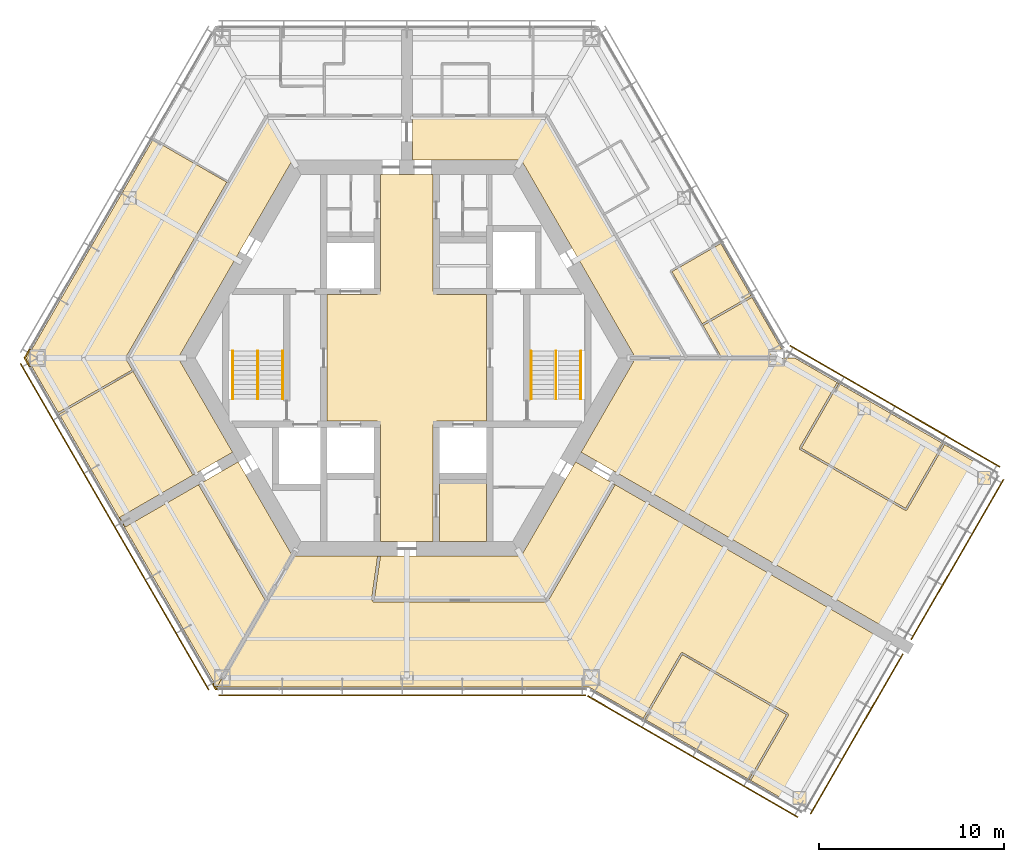
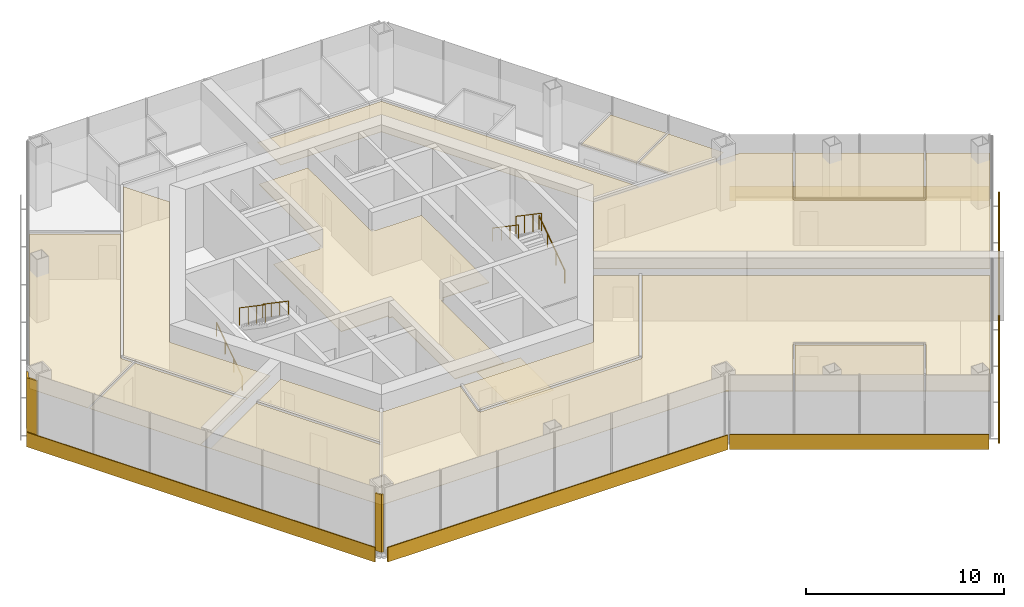
# One storey, part 14 of 15: 17 coverings, 6 railings, 6 shading devices.
"""IFC4 building model written with IfcOpenShell, lengths in metres."""

from ifc_helpers import new_model, si_unit, direction, frame, origin, origin_2d, place, context, subcontext, project, spatial, polyline, rectangle, circle, outline, extrude, material, layer, layer_set, type_object, element, save


model = new_model("IFC4")

# Units and contexts
model_context = context("Model", 3, precision=1e-05, world=origin(), true_north=direction((0.0, 1.0)))
body_context = subcontext(model_context, "Body", "Model", "MODEL_VIEW")
ifc_project = project(units=[si_unit("LENGTHUNIT", "METRE"), si_unit("AREAUNIT", "SQUARE_METRE"), si_unit("VOLUMEUNIT", "CUBIC_METRE"), si_unit("PLANEANGLEUNIT", "RADIAN"), si_unit("MASSUNIT", "GRAM", prefix="KILO")], contexts=[model_context])

# Site, building, storey
site_placement = place(None, origin())
site = spatial("IfcSite", under=ifc_project, at=site_placement, CompositionType="ELEMENT")
building_placement = place(site_placement, origin())
building = spatial("IfcBuilding", under=site, at=building_placement, Name="Kasaneha Research Tower", CompositionType="ELEMENT")
storey_placement = place(building_placement, frame((0.0, 0.0, 212.800048828125)))
storey = spatial("IfcBuildingStorey", under=building, at=storey_placement, Name="L53", CompositionType="ELEMENT", Elevation=212.800048828125)

# Coverings
ifc_material_1 = material(Name="Terracotta", Category="masonry")
covering_type_1 = type_object("IfcCoveringType", Name="Corner pier cladding", PredefinedType="CLADDING", material=ifc_material_1)
covering_1_placement = place(storey_placement, origin())
element("IfcCovering", 1, at=covering_1_placement, inside=storey, type_object=covering_type_1, Name="Corner pier cladding L53 V3", PredefinedType="CLADDING", context=body_context, shape_type="SweptSolid", body=[
    extrude(outline(polyline([(-20.360107421875, 0.4765625), (-20.375244140625, 0.449951171875), (-20.449951171875, 0.449951171875), (-20.449951171875, 0.320556640625), (-20.635009765625, 0.0), (-20.449951171875, -0.320556640625), (-20.449951171875, -0.449951171875), (-20.375244140625, -0.449951171875), (-20.360107421875, -0.4765625), (-20.43798828125, -0.521484375), (-20.739013671875, 0.0), (-20.43798828125, 0.521484375), (-20.360107421875, 0.4765625)])), origin(), (0.0, 0.0, 1.0), 3.5517578125),
])
covering_2_placement = place(storey_placement, origin())
element("IfcCovering", 2, at=covering_2_placement, inside=storey, type_object=covering_type_1, Name="Corner pier cladding L53 V4", PredefinedType="CLADDING", context=body_context, shape_type="SweptSolid", body=[
    extrude(outline(polyline([(-10.476806640625, -17.5947265625), (-10.449951171875, -17.64111328125), (-10.449951171875, -17.7705078125), (-10.375244140625, -17.7705078125), (-10.317626953125, -17.87060546875), (-10.247314453125, -17.87060546875), (-10.247314453125, -17.96044921875), (-10.369384765625, -17.96044921875), (-10.5546875, -17.6396484375), (-10.476806640625, -17.5947265625)])), origin(), (0.0, 0.0, 1.0), 3.5517578125),
])
ifc_material_2 = material(Name="Aluminium panel ceiling", Category="aluminium")
ifc_layer_1 = layer(ifc_material_2, 0.0400390625)
ifc_layer_set_1 = layer_set([ifc_layer_1], Name="Lift lobby ceiling 40")
covering_type_2 = type_object("IfcCoveringType", Name="Lift lobby ceiling 40", PredefinedType="CEILING", material=ifc_layer_set_1)
covering_3_placement = place(storey_placement, frame((0.0, 0.0, 2.699951171875)))
element("IfcCovering", 3, at=covering_3_placement, inside=storey, type_object=covering_type_2, Name="Ceiling L53-01", PredefinedType="CEILING", context=body_context, shape_type="SweptSolid", body=[
    extrude(outline(polyline([(1.425048828125, 9.925048828125), (1.425048828125, 3.60009765625), (1.60009765625, 3.60009765625), (1.60009765625, 3.425048828125), (4.324951171875, 3.425048828125), (4.324951171875, -3.425048828125), (1.60009765625, -3.425048828125), (1.60009765625, -3.60009765625), (1.425048828125, -3.60009765625), (1.425048828125, -9.925048828125), (-1.425048828125, -9.925048828125), (-1.425048828125, -3.60009765625), (-1.60009765625, -3.60009765625), (-1.60009765625, -3.425048828125), (-4.324951171875, -3.425048828125), (-4.324951171875, 3.425048828125), (-1.60009765625, 3.425048828125), (-1.60009765625, 3.60009765625), (-1.425048828125, 3.60009765625), (-1.425048828125, 9.925048828125), (1.425048828125, 9.925048828125)])), origin(), (0.0, 0.0, 1.0), 0.0400390625),
])

# Railings
ifc_material_3 = material(Name="Steel", Category="steel")
railing_type_1 = type_object("IfcRailingType", Name="Stair balustrade 1100", PredefinedType="GUARDRAIL", material=ifc_material_3)
for number, where, name in (
    (4, (8.074951171875, 0.375, 2.127197265625), "Stair 1 balustrade L53"),
    (5, (-8.074951171875, 0.375, 2.127197265625), "Stair 2 balustrade L53"),
):
    element("IfcRailing", number, at=place(storey_placement, frame(where)), inside=storey, type_object=railing_type_1, Name=name, PredefinedType="GUARDRAIL", context=body_context, shape_type="SweptSolid", body=[
        extrude(circle(Radius=0.02392578125, at=origin_2d()), frame((0.0, 0.0, 1.076171875), z_axis=(0.0, -0.826240473404, 0.563317565952), x_axis=(1.0, 0.0, 0.0)), (0.0, 0.0, 1.0), 3.14697265625),
        extrude(circle(Radius=0.02099609375, at=origin_2d()), origin(), (0.0, 0.0, 1.0), 1.052001953125),
        extrude(circle(Radius=0.02099609375, at=origin_2d()), frame((0.0, -0.86669921875, 0.5908203125)), (0.0, 0.0, 1.0), 1.052001953125),
        extrude(circle(Radius=0.02099609375, at=origin_2d()), frame((0.0, -1.7333984375, 1.181884765625)), (0.0, 0.0, 1.0), 1.052001953125),
        extrude(circle(Radius=0.02099609375, at=origin_2d()), frame((0.0, -2.60009765625, 1.772705078125)), (0.0, 0.0, 1.0), 1.052001953125),
    ])
ifc_material_4 = material(Name="Steel", Category="steel")
railing_type_2 = type_object("IfcRailingType", Name="Stair handrail 850", PredefinedType="HANDRAIL", material=ifc_material_4)
railing_1_placement = place(storey_placement, frame((9.425048828125, -2.22509765625, 0.17724609375)))
element("IfcRailing", 6, at=railing_1_placement, inside=storey, type_object=railing_type_2, Name="Stair 1 handrail L53", PredefinedType="HANDRAIL", context=body_context, shape_type="SweptSolid", body=[
    extrude(circle(Radius=0.02392578125, at=origin_2d()), frame((0.0, 0.0, 0.826171875), z_axis=(0.0, 0.826240473404, 0.563317565952), x_axis=(-1.0, 0.0, 0.0)), (0.0, 0.0, 1.0), 3.14697265625),
    extrude(circle(Radius=0.02099609375, at=origin_2d()), origin(), (0.0, 0.0, 1.0), 0.802001953125),
    extrude(circle(Radius=0.02099609375, at=origin_2d()), frame((0.0, 0.86669921875, 0.5908203125)), (0.0, 0.0, 1.0), 0.802001953125),
    extrude(circle(Radius=0.02099609375, at=origin_2d()), frame((0.0, 1.7333984375, 1.181884765625)), (0.0, 0.0, 1.0), 0.802001953125),
    extrude(circle(Radius=0.02099609375, at=origin_2d()), frame((0.0, 2.60009765625, 1.772705078125)), (0.0, 0.0, 1.0), 0.802001953125),
])
railing_2_placement = place(storey_placement, frame((6.72509765625, 0.375, 2.127197265625)))
element("IfcRailing", 7, at=railing_2_placement, inside=storey, type_object=railing_type_2, Name="Stair 1 handrail L53", PredefinedType="HANDRAIL", context=body_context, shape_type="SweptSolid", body=[
    extrude(circle(Radius=0.02392578125, at=origin_2d()), frame((0.0, 0.0, 0.826171875), z_axis=(0.0, -0.826240473404, 0.563317565952), x_axis=(1.0, 0.0, 0.0)), (0.0, 0.0, 1.0), 3.14697265625),
    extrude(circle(Radius=0.02099609375, at=origin_2d()), origin(), (0.0, 0.0, 1.0), 0.802001953125),
    extrude(circle(Radius=0.02099609375, at=origin_2d()), frame((0.0, -0.86669921875, 0.5908203125)), (0.0, 0.0, 1.0), 0.802001953125),
    extrude(circle(Radius=0.02099609375, at=origin_2d()), frame((0.0, -1.7333984375, 1.181884765625)), (0.0, 0.0, 1.0), 0.802001953125),
    extrude(circle(Radius=0.02099609375, at=origin_2d()), frame((0.0, -2.60009765625, 1.772705078125)), (0.0, 0.0, 1.0), 0.802001953125),
])
railing_3_placement = place(storey_placement, frame((-9.425048828125, -2.22509765625, 0.17724609375)))
element("IfcRailing", 8, at=railing_3_placement, inside=storey, type_object=railing_type_2, Name="Stair 2 handrail L53", PredefinedType="HANDRAIL", context=body_context, shape_type="SweptSolid", body=[
    extrude(circle(Radius=0.02392578125, at=origin_2d()), frame((0.0, 0.0, 0.826171875), z_axis=(0.0, 0.826240473404, 0.563317565952), x_axis=(-1.0, 0.0, 0.0)), (0.0, 0.0, 1.0), 3.14697265625),
    extrude(circle(Radius=0.02099609375, at=origin_2d()), origin(), (0.0, 0.0, 1.0), 0.802001953125),
    extrude(circle(Radius=0.02099609375, at=origin_2d()), frame((0.0, 0.86669921875, 0.5908203125)), (0.0, 0.0, 1.0), 0.802001953125),
    extrude(circle(Radius=0.02099609375, at=origin_2d()), frame((0.0, 1.7333984375, 1.181884765625)), (0.0, 0.0, 1.0), 0.802001953125),
    extrude(circle(Radius=0.02099609375, at=origin_2d()), frame((0.0, 2.60009765625, 1.772705078125)), (0.0, 0.0, 1.0), 0.802001953125),
])
railing_4_placement = place(storey_placement, frame((-6.72509765625, 0.375, 2.127197265625)))
element("IfcRailing", 9, at=railing_4_placement, inside=storey, type_object=railing_type_2, Name="Stair 2 handrail L53", PredefinedType="HANDRAIL", context=body_context, shape_type="SweptSolid", body=[
    extrude(circle(Radius=0.02392578125, at=origin_2d()), frame((0.0, 0.0, 0.826171875), z_axis=(0.0, -0.826240473404, 0.563317565952), x_axis=(1.0, 0.0, 0.0)), (0.0, 0.0, 1.0), 3.14697265625),
    extrude(circle(Radius=0.02099609375, at=origin_2d()), origin(), (0.0, 0.0, 1.0), 0.802001953125),
    extrude(circle(Radius=0.02099609375, at=origin_2d()), frame((0.0, -0.86669921875, 0.5908203125)), (0.0, 0.0, 1.0), 0.802001953125),
    extrude(circle(Radius=0.02099609375, at=origin_2d()), frame((0.0, -1.7333984375, 1.181884765625)), (0.0, 0.0, 1.0), 0.802001953125),
    extrude(circle(Radius=0.02099609375, at=origin_2d()), frame((0.0, -2.60009765625, 1.772705078125)), (0.0, 0.0, 1.0), 0.802001953125),
])

# Coverings
ifc_material_5 = material(Name="Gypsum ceiling board", Category="gypsum")
ifc_layer_2 = layer(ifc_material_5, 0.02001953125)
ifc_layer_set_2 = layer_set([ifc_layer_2], Name="Suspended ceiling 20")
covering_type_3 = type_object("IfcCoveringType", Name="Suspended ceiling 20", PredefinedType="CEILING", material=ifc_layer_set_2)
covering_4_placement = place(storey_placement, frame((0.0, 0.0, 2.800048828125)))
element("IfcCovering", 10, at=covering_4_placement, inside=storey, type_object=covering_type_3, Name="Ceiling L53-27", PredefinedType="CEILING", context=body_context, shape_type="SweptSolid", body=[
    extrude(outline(polyline([(6.192138671875, 10.72509765625), (0.300048828125, 10.72509765625), (0.300048828125, 11.72509765625), (0.300048828125, 12.72509765625), (0.300048828125, 13.125), (0.320068359375, 13.125), (0.320068359375, 13.050048828125), (1.89501953125, 13.050048828125), (1.905029296875, 13.050048828125), (4.4599609375, 13.050048828125), (4.469970703125, 13.050048828125), (6.826416015625, 13.050048828125), (6.8359375, 13.050048828125), (7.534423828125, 13.050048828125), (9.103759765625, 10.33154296875), (9.103759765625, 10.33154296875), (10.599365234375, 7.7412109375), (10.599365234375, 7.7412109375), (15.06884765625, 0.0), (12.38427734375, 0.0), (6.192138671875, 10.72509765625)])), origin(), (0.0, 0.0, 1.0), 0.02001953125),
])
covering_5_placement = place(storey_placement, frame((0.0, 0.0, 2.800048828125)))
element("IfcCovering", 11, at=covering_5_placement, inside=storey, type_object=covering_type_3, Name="Ceiling L53-31", PredefinedType="CEILING", context=body_context, shape_type="SweptSolid", body=[
    extrude(outline(polyline([(18.65771484375, 3.32470703125), (18.640380859375, 3.314697265625), (18.615478515625, 3.358154296875), (15.99267578125, 1.849609375), (14.35546875, 4.677001953125), (16.99658203125, 6.201904296875), (18.65771484375, 3.32470703125)])), origin(), (0.0, 0.0, 1.0), 0.02001953125),
])
covering_6_placement = place(storey_placement, frame((0.0, 0.0, 2.800048828125)))
element("IfcCovering", 12, at=covering_6_placement, inside=storey, type_object=covering_type_3, Name="Ceiling L53-32", PredefinedType="CEILING", context=body_context, shape_type="SweptSolid", body=[
    extrude(outline(polyline([(20.28759765625, 0.501708984375), (19.41845703125, 0.0), (16.997802734375, 0.0), (16.986328125, 0.02001953125), (17.029541015625, 0.044921875), (16.042724609375, 1.762939453125), (18.665283203125, 3.271484375), (18.640380859375, 3.314697265625), (18.65771484375, 3.32470703125), (20.28759765625, 0.501708984375)])), origin(), (0.0, 0.0, 1.0), 0.02001953125),
])
covering_7_placement = place(storey_placement, frame((0.0, 0.0, 2.800048828125)))
element("IfcCovering", 13, at=covering_7_placement, inside=storey, type_object=covering_type_3, Name="Ceiling L53-38", PredefinedType="CEILING", context=body_context, shape_type="SweptSolid", body=[
    extrude(outline(polyline([(-12.38427734375, 0.0), (-9.438232421875, -5.102783203125), (-10.30419921875, -5.602783203125), (-10.30419921875, -5.602783203125), (-11.170166015625, -6.102783203125), (-11.170166015625, -6.102783203125), (-11.5166015625, -6.302734375), (-11.526611328125, -6.285400390625), (-11.461669921875, -6.247802734375), (-14.71484375, -0.613037109375), (-14.71484375, -0.613037109375), (-15.06884765625, 0.0), (-9.596435546875, 9.478515625), (-9.596435546875, 9.478515625), (-7.534423828125, 13.050048828125), (-7.534423828125, 13.050048828125), (-6.192138671875, 10.72509765625), (-12.38427734375, 0.0)])), origin(), (0.0, 0.0, 1.0), 0.02001953125),
])
covering_8_placement = place(storey_placement, frame((0.0, 0.0, 2.800048828125)))
element("IfcCovering", 14, at=covering_8_placement, inside=storey, type_object=covering_type_3, Name="Ceiling L53-40", PredefinedType="CEILING", context=body_context, shape_type="SweptSolid", body=[
    extrude(outline(polyline([(-15.539794921875, -8.62548828125), (-15.3896484375, -8.88525390625), (-15.43310546875, -8.91015625), (-18.823486328125, -3.037841796875), (-14.81982421875, -0.7314453125), (-11.591552734375, -6.322998046875), (-11.526611328125, -6.285400390625), (-11.5166015625, -6.302734375), (-15.539794921875, -8.62548828125), (-15.539794921875, -8.62548828125), (-15.539794921875, -8.62548828125)])), origin(), (0.0, 0.0, 1.0), 0.02001953125),
])
covering_9_placement = place(storey_placement, frame((0.0, 0.0, 2.800048828125)))
element("IfcCovering", 15, at=covering_9_placement, inside=storey, type_object=covering_type_3, Name="Ceiling L53-41", PredefinedType="CEILING", context=body_context, shape_type="SweptSolid", body=[
    extrude(outline(polyline([(-15.156005859375, 0.000244140625), (-15.15576171875, -0.000244140625), (-15.220458984375, -0.03759765625), (-14.869873046875, -0.644775390625), (-18.87353515625, -2.951171875), (-20.577392578125, 0.0), (-13.750244140625, 11.82470703125), (-9.74658203125, 9.5185546875), (-15.220458984375, 0.03759765625), (-15.15576171875, 0.000244140625), (-15.156005859375, 0.000244140625)])), origin(), (0.0, 0.0, 1.0), 0.02001953125),
])
covering_10_placement = place(storey_placement, frame((0.0, 0.0, 2.800048828125)))
element("IfcCovering", 16, at=covering_10_placement, inside=storey, type_object=covering_type_3, Name="Ceiling L53-42", PredefinedType="CEILING", context=body_context, shape_type="SweptSolid", body=[
    extrude(outline(polyline([(-10.8701171875, -6.622314453125), (-10.004150390625, -6.122314453125), (-10.004150390625, -6.122314453125), (-9.13818359375, -5.622314453125), (-6.192138671875, -10.72509765625), (-7.534423828125, -13.050048828125), (-11.1416015625, -6.802001953125), (-11.20654296875, -6.839599609375), (-11.216552734375, -6.822265625), (-10.8701171875, -6.622314453125), (-10.8701171875, -6.622314453125)])), origin(), (0.0, 0.0, 1.0), 0.02001953125),
])
covering_11_placement = place(storey_placement, frame((0.0, 0.0, 2.800048828125)))
element("IfcCovering", 17, at=covering_11_placement, inside=storey, type_object=covering_type_3, Name="Ceiling L53-43", PredefinedType="CEILING", context=body_context, shape_type="SweptSolid", body=[
    extrude(outline(polyline([(-11.20703125, -6.83984375), (-11.271484375, -6.877197265625), (-7.654296875, -13.142578125), (-7.589599609375, -13.105224609375), (-7.577880859375, -13.12548828125), (-10.28857421875, -17.820556640625), (-15.43310546875, -8.91015625), (-15.3896484375, -8.88525390625), (-15.23974609375, -9.14501953125), (-15.23974609375, -9.14501953125), (-15.23974609375, -9.14501953125), (-11.217041015625, -6.822509765625), (-11.20703125, -6.83984375)])), origin(), (0.0, 0.0, 1.0), 0.02001953125),
])
covering_12_placement = place(storey_placement, frame((0.0, 0.0, 2.800048828125)))
element("IfcCovering", 18, at=covering_12_placement, inside=storey, type_object=covering_type_3, Name="Ceiling L53-44", PredefinedType="CEILING", context=body_context, shape_type="SweptSolid", body=[
    extrude(outline(polyline([(29.03173828125, -4.63720703125), (27.006591796875, -8.14453125), (21.360595703125, -4.884765625), (23.37548828125, -1.39453125), (23.332275390625, -1.36962890625), (23.34228515625, -1.352294921875), (29.03173828125, -4.63720703125)])), origin(), (0.0, 0.0, 1.0), 0.02001953125),
])
covering_13_placement = place(storey_placement, frame((0.0, 0.0, 2.800048828125)))
element("IfcCovering", 19, at=covering_13_placement, inside=storey, type_object=covering_type_3, Name="Ceiling L53-45", PredefinedType="CEILING", context=body_context, shape_type="SweptSolid", body=[
    extrude(outline(polyline([(10.30419921875, -5.602783203125), (10.30419921875, -5.602783203125), (9.438232421875, -5.102783203125), (12.38427734375, 0.0), (15.06884765625, 0.0), (15.078857421875, -0.017578125), (15.109375, 0.0), (16.93994140625, 0.0), (16.94287109375, -0.0048828125), (16.951416015625, 0.0), (21.0, 0.0), (23.341796875, -1.35205078125), (23.331787109375, -1.369384765625), (23.288818359375, -1.344482421875), (21.248779296875, -4.8779296875), (21.2919921875, -4.90283203125), (21.291748046875, -4.9033203125), (21.2919921875, -4.9033203125), (21.26708984375, -4.9462890625), (27.0, -8.256103515625), (27.02490234375, -8.212890625), (27.068359375, -8.23779296875), (29.1181640625, -4.68701171875), (31.94140625, -6.31689453125), (26.84130859375, -15.150390625), (11.170166015625, -6.102783203125), (11.170166015625, -6.102783203125), (10.30419921875, -5.602783203125)])), origin(), (0.0, 0.0, 1.0), 0.02001953125),
])
covering_14_placement = place(storey_placement, frame((0.0, 0.0, 2.800048828125)))
element("IfcCovering", 20, at=covering_14_placement, inside=storey, type_object=covering_type_3, Name="Ceiling L53-46", PredefinedType="CEILING", context=body_context, shape_type="SweptSolid", body=[
    extrude(outline(polyline([(9.13818359375, -5.622314453125), (10.004150390625, -6.122314453125), (10.004150390625, -6.122314453125), (10.8701171875, -6.622314453125), (10.8701171875, -6.622314453125), (11.216552734375, -6.822265625), (11.20654296875, -6.839599609375), (11.1416015625, -6.802001953125), (7.534423828125, -13.050048828125), (-1.75830078125, -13.050048828125), (-1.435791015625, -10.75537109375), (-1.510009765625, -10.7451171875), (-1.50732421875, -10.72509765625), (6.192138671875, -10.72509765625), (9.13818359375, -5.622314453125)])), origin(), (0.0, 0.0, 1.0), 0.02001953125),
])
covering_15_placement = place(storey_placement, frame((0.0, 0.0, 2.800048828125)))
element("IfcCovering", 21, at=covering_15_placement, inside=storey, type_object=covering_type_3, Name="Ceiling L53-47", PredefinedType="CEILING", context=body_context, shape_type="SweptSolid", body=[
    extrude(outline(polyline([(12.885498046875, -19.563720703125), (14.910400390625, -16.056396484375), (20.556640625, -19.316162109375), (18.541748046875, -22.806396484375), (18.5849609375, -22.831298828125), (18.574951171875, -22.8486328125), (12.885498046875, -19.563720703125)])), origin(), (0.0, 0.0, 1.0), 0.02001953125),
])
covering_16_placement = place(storey_placement, frame((0.0, 0.0, 2.800048828125)))
element("IfcCovering", 22, at=covering_16_placement, inside=storey, type_object=covering_type_3, Name="Ceiling L53-48", PredefinedType="CEILING", context=body_context, shape_type="SweptSolid", body=[
    extrude(outline(polyline([(-1.5078125, -10.72509765625), (-1.510498046875, -10.744873046875), (-1.58447265625, -10.734619140625), (-1.9189453125, -13.114501953125), (-1.8447265625, -13.125), (-1.8447265625, -13.12548828125), (-1.844482421875, -13.12548828125), (-1.844482421875, -13.199951171875), (7.57763671875, -13.199951171875), (7.57763671875, -13.12548828125), (7.577880859375, -13.12548828125), (7.577880859375, -13.125244140625), (7.642578125, -13.16259765625), (11.271484375, -6.877197265625), (11.20703125, -6.83984375), (11.217041015625, -6.822509765625), (26.541259765625, -15.670166015625), (21.44140625, -24.50341796875), (18.575439453125, -22.848876953125), (18.58544921875, -22.83154296875), (18.62841796875, -22.856201171875), (20.668212890625, -19.322998046875), (20.625244140625, -19.298095703125), (20.625244140625, -19.297607421875), (20.625244140625, -19.297607421875), (20.64990234375, -19.254638671875), (14.917236328125, -15.94482421875), (14.892333984375, -15.98779296875), (14.892333984375, -15.987548828125), (14.89208984375, -15.988037109375), (14.848876953125, -15.963134765625), (12.798828125, -19.513916015625), (9.865966796875, -17.820556640625), (-10.28857421875, -17.820556640625), (-7.5546875, -13.0849609375), (-7.5244140625, -13.0673828125), (-7.534423828125, -13.050048828125), (-6.192138671875, -10.72509765625), (-1.5078125, -10.72509765625)])), origin(), (0.0, 0.0, 1.0), 0.02001953125),
])

# Shading devices
ifc_material_6 = material(Name="Terracotta", Category="masonry")
ifc_layer_3 = layer(ifc_material_6, 0.06005859375)
ifc_layer_set_3 = layer_set([ifc_layer_3], Name="Terracotta baguette screen")
shading_device_type = type_object("IfcShadingDeviceType", Name="Terracotta baguette screen", PredefinedType="USERDEFINED", material=ifc_layer_set_3)
shading_device_1_placement = place(storey_placement, frame((-15.82275390625, -9.13525390625, -0.449951171875), z_axis=(0.0, 0.0, 1.0), x_axis=(0.499999995722, -0.866025406254, 0.0)))
element("IfcShadingDevice", 23, at=shading_device_1_placement, inside=storey, type_object=shading_device_type, Name="Baguette screen L53 04", ObjectType="TERRACOTTA BAGUETTE SCREEN", PredefinedType="USERDEFINED", context=body_context, shape_type="SweptSolid", body=[
    extrude(rectangle(XDim=20.392822265625, YDim=0.06005859375, at=origin_2d()), origin(), (0.0, 0.0, 1.0), 0.89990234375),
])
shading_device_2_placement = place(storey_placement, frame((-0.253662109375, -18.2705078125, -0.449951171875), z_axis=(0.0, 0.0, 1.0), x_axis=(1.0, 0.0, 0.0)))
element("IfcShadingDevice", 24, at=shading_device_2_placement, inside=storey, type_object=shading_device_type, Name="Baguette screen L53 05", ObjectType="TERRACOTTA BAGUETTE SCREEN", PredefinedType="USERDEFINED", context=body_context, shape_type="SweptSolid", body=[
    extrude(rectangle(XDim=19.8857421875, YDim=0.06005859375, at=origin_2d()), origin(), (0.0, 0.0, 1.0), 0.89990234375),
])
shading_device_3_placement = place(storey_placement, frame((15.483642578125, -21.58349609375, -0.449951171875), z_axis=(0.0, 0.0, 1.0), x_axis=(0.866025411464, -0.499999986699, 0.0)))
element("IfcShadingDevice", 25, at=shading_device_3_placement, inside=storey, type_object=shading_device_type, Name="Baguette screen L53 06", ObjectType="TERRACOTTA BAGUETTE SCREEN", PredefinedType="USERDEFINED", context=body_context, shape_type="SweptSolid", body=[
    extrude(rectangle(XDim=13.13916015625, YDim=0.06005859375, at=origin_2d()), origin(), (0.0, 0.0, 1.0), 0.89990234375),
])
for number, where, z_axis, x_axis, name in (
    (26, (24.35595703125, -20.35498046875, -0.449951171875), (0.0, 0.0, 1.0), (0.500000011442, 0.866025397178, 0.0), "Baguette screen L53 07"),
    (27, (29.80615234375, -10.91552734375, -0.449951171875), (0.0, 0.0, 1.0), (0.500000011442, 0.866025397178, 0.0), "Baguette screen L53 08"),
):
    element("IfcShadingDevice", number, at=place(storey_placement, frame(where, z_axis=z_axis, x_axis=x_axis)), inside=storey, type_object=shading_device_type, Name=name, ObjectType="TERRACOTTA BAGUETTE SCREEN", PredefinedType="USERDEFINED", context=body_context, shape_type="SweptSolid", body=[
        extrude(rectangle(XDim=10.0, YDim=0.06005859375, at=origin_2d()), origin(), (0.0, 0.0, 1.0), 0.89990234375),
    ])
shading_device_4_placement = place(storey_placement, frame((26.43359375, -2.617431640625, -0.449951171875), z_axis=(0.0, 0.0, 1.0), x_axis=(-0.866025411464, 0.499999986699, 0.0)))
element("IfcShadingDevice", 28, at=shading_device_4_placement, inside=storey, type_object=shading_device_type, Name="Baguette screen L53 09", ObjectType="TERRACOTTA BAGUETTE SCREEN", PredefinedType="USERDEFINED", context=body_context, shape_type="SweptSolid", body=[
    extrude(rectangle(XDim=13.13916015625, YDim=0.06005859375, at=origin_2d()), origin(), (0.0, 0.0, 1.0), 0.89990234375),
])

# Covering
ifc_material_7 = material(Name="Vinyl sheet flooring", Category="plastic")
ifc_layer_4 = layer(ifc_material_7, 0.0048828125)
ifc_layer_set_4 = layer_set([ifc_layer_4], Name="Wet room sheet flooring 5")
covering_type_4 = type_object("IfcCoveringType", Name="Wet room sheet flooring 5", PredefinedType="FLOORING", material=ifc_layer_set_4)
covering_17_placement = place(storey_placement, origin())
element("IfcCovering", 29, at=covering_17_placement, inside=storey, type_object=covering_type_4, Name="Floor finish L53-13", PredefinedType="FLOORING", context=body_context, shape_type="SweptSolid", body=[
    extrude(outline(polyline([(1.77490234375, -9.925048828125), (1.77490234375, -6.574951171875), (4.324951171875, -6.574951171875), (4.324951171875, -9.925048828125), (1.77490234375, -9.925048828125)])), origin(), (0.0, 0.0, 1.0), 0.0048828125),
])

save(model, "model.ifc")
